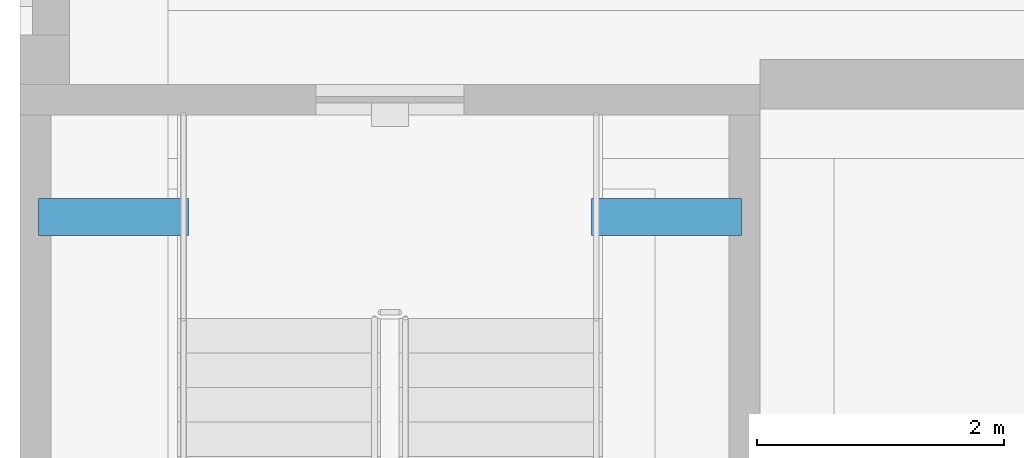
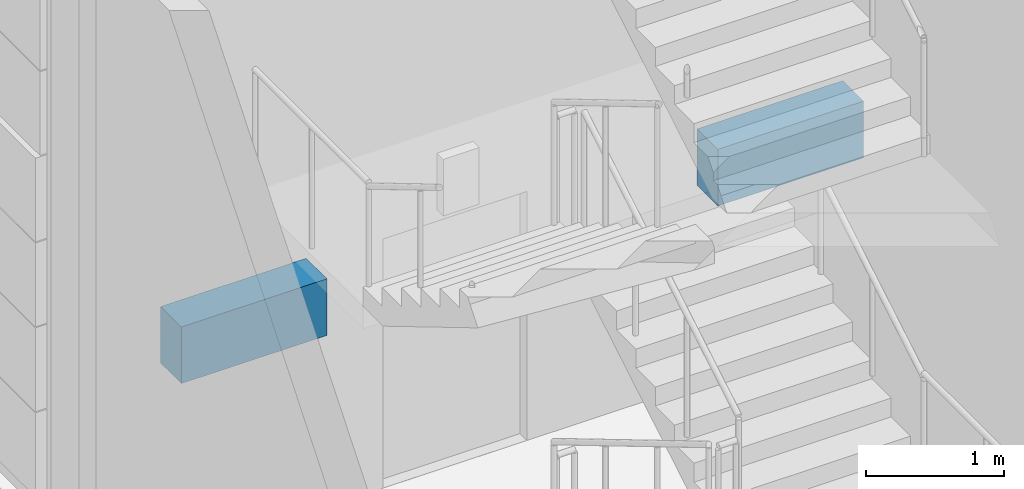
# One storey, part 13 of 125: 2 beams.
"""IFC4 building model written with IfcOpenShell, lengths in metres."""

from ifc_helpers import new_model, si_unit, direction, frame, origin, origin_2d, place, context, subcontext, project, spatial, rectangle, extrude, material, material_profile, profile_set, type_object, element, save


model = new_model("IFC4")

# Units and contexts
model_context = context("Model", 3, precision=1e-05, world=origin(), true_north=direction((0.0, 1.0)))
body_context = subcontext(model_context, "Body", "Model", "MODEL_VIEW")
ifc_project = project(units=[si_unit("LENGTHUNIT", "METRE"), si_unit("AREAUNIT", "SQUARE_METRE"), si_unit("VOLUMEUNIT", "CUBIC_METRE"), si_unit("PLANEANGLEUNIT", "RADIAN"), si_unit("MASSUNIT", "GRAM", prefix="KILO")], contexts=[model_context])

# Site, building, storey
site_placement = place(None, origin())
site = spatial("IfcSite", under=ifc_project, at=site_placement, CompositionType="ELEMENT")
building_placement = place(site_placement, origin())
building = spatial("IfcBuilding", under=site, at=building_placement, Name="Sun Court Science Centre", CompositionType="ELEMENT")
storey_placement = place(building_placement, origin())
storey = spatial("IfcBuildingStorey", under=building, at=storey_placement, Name="L00", CompositionType="ELEMENT", Elevation=0.0)

# Beams
ifc_material = material(Name="Concrete C25/30", Category="concrete")
ifc_material_profile = material_profile(ifc_material, rectangle(XDim=0.300048828125, YDim=0.5, at=origin_2d()), Name="RC 300x500")
ifc_profile_set = profile_set([ifc_material_profile], Name="Concrete C25/30")
beam_type = type_object("IfcBeamType", Name="RC landing trimmer 300x500", PredefinedType="BEAM", material=ifc_profile_set)
for number, where, z_axis, x_axis, name in (
    (1, (0.14990234375, 46.926025390625, 2.550048828125), (1.0, 0.0, 0.0), (0.0, 1.0, 0.0), "ST1 landing 2 trimmer beam 4"),
    (2, (5.85009765625, 46.926025390625, 2.550048828125), (-1.0, 0.0, 0.0), (0.0, -1.0, 0.0), "ST1 landing 2 trimmer beam 5"),
):
    element("IfcBeam", number, at=place(storey_placement, frame(where, z_axis=z_axis, x_axis=x_axis)), inside=storey, type_object=beam_type, Name=name, PredefinedType="BEAM", context=body_context, shape_type="SweptSolid", body=[
        extrude(rectangle(XDim=0.300048828125, YDim=0.5, at=origin_2d()), origin(), (0.0, 0.0, 1.0), 1.217041015625),
    ])

save(model, "model.ifc")
